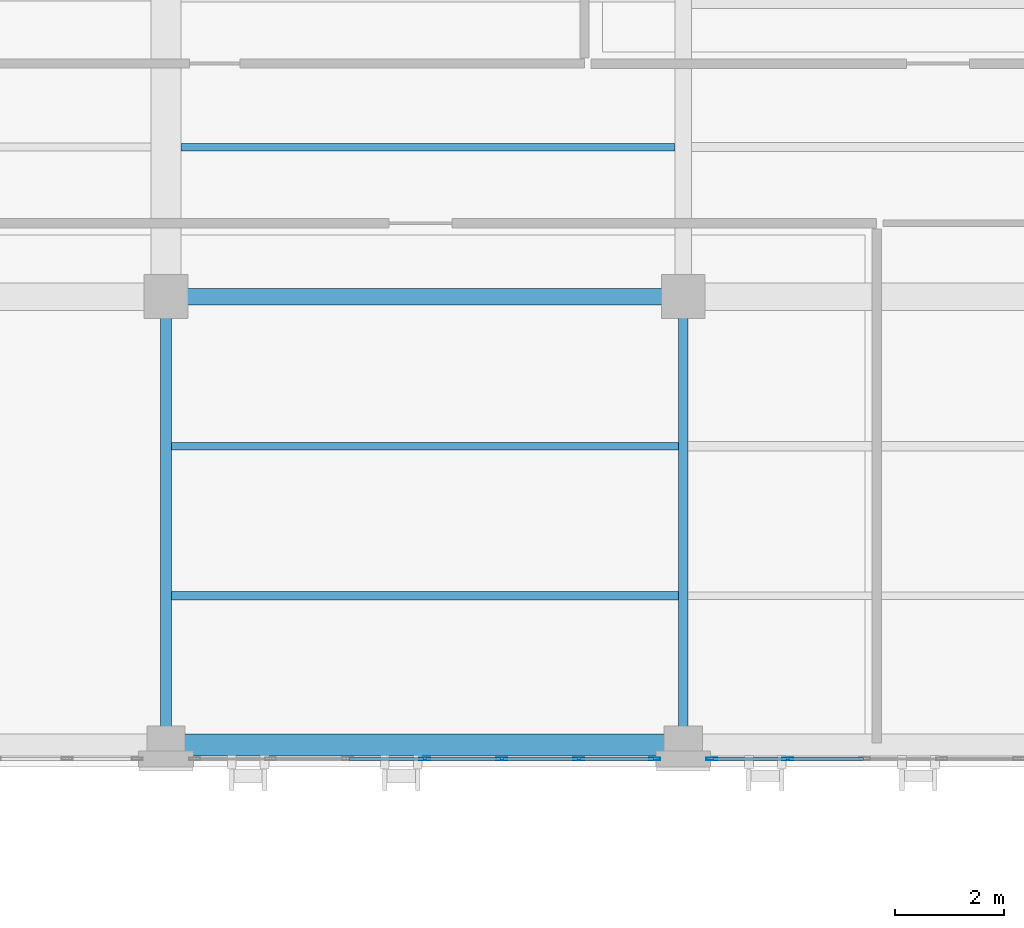
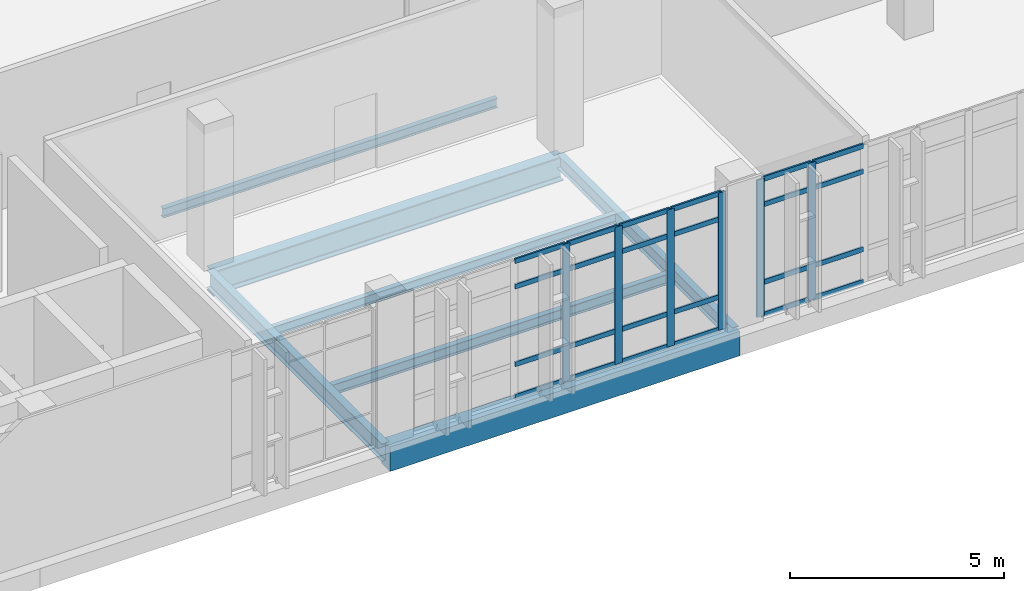
# One storey, part 12 of 165: 30 members, 7 beams, 2 elements without a shape of their own.
"""IFC4 building model written with IfcOpenShell, lengths in metres."""

from ifc_helpers import new_model, si_unit, direction, frame, origin, origin_2d, place, context, subcontext, project, spatial, rectangle, hollow_rectangle, i_section, extrude, material, layer, layer_set, material_profile, profile_set, type_object, element, aggregate, save


model = new_model("IFC4")

# Units and contexts
model_context = context("Model", 3, precision=1e-05, world=origin(), true_north=direction((0.0, 1.0)))
body_context = subcontext(model_context, "Body", "Model", "MODEL_VIEW")
ifc_project = project(units=[si_unit("LENGTHUNIT", "METRE"), si_unit("AREAUNIT", "SQUARE_METRE"), si_unit("VOLUMEUNIT", "CUBIC_METRE"), si_unit("PLANEANGLEUNIT", "RADIAN"), si_unit("MASSUNIT", "GRAM", prefix="KILO")], contexts=[model_context])

# Site, building, storey
site_placement = place(None, origin())
site = spatial("IfcSite", under=ifc_project, at=site_placement, CompositionType="ELEMENT")
building_placement = place(site_placement, origin())
building = spatial("IfcBuilding", under=site, at=building_placement, Name="Qalavern Law Courts", CompositionType="ELEMENT")
storey_placement = place(building_placement, frame((0.0, 0.0, 14.39990234375)))
storey = spatial("IfcBuildingStorey", under=building, at=storey_placement, Name="L03", CompositionType="ELEMENT", Elevation=14.39990234375)

# Curtain wall, members
ifc_material_1 = material(Name="Anodised aluminium and insulated glazing", Category="aluminium")
ifc_layer = layer(ifc_material_1, 0.18505859375)
ifc_layer_set = layer_set([ifc_layer], Name="Anodised aluminium and insulated glazing")
curtain_wall_type = type_object("IfcCurtainWallType", Name="ENV-CW-HALL", PredefinedType="USERDEFINED", material=ifc_layer_set)
curtain_wall_1_placement = place(storey_placement, origin())
curtain_wall_1 = element("IfcCurtainWall", 1, at=curtain_wall_1_placement, inside=storey, type_object=curtain_wall_type, Name="V2 unitised curtain wall L03 south 2", ObjectType="UNITISED CURTAIN WALL", PredefinedType="USERDEFINED")
ifc_material_2 = material(Name="Anodised aluminium", Category="aluminium")
ifc_material_profile_1 = material_profile(ifc_material_2, hollow_rectangle(XDim=0.048095703125, YDim=0.199951171875, WallThickness=0.00439453125, at=origin_2d()), Name="ALU MULLION 48x200")
ifc_profile_set_1 = profile_set([ifc_material_profile_1], Name="Anodised aluminium")
member_type_1 = type_object("IfcMemberType", Name="ENV-CWM-48x200", PredefinedType="MULLION", material=ifc_profile_set_1)
member_1_placement = place(storey_placement, frame((58.255859375, 5.347412109375, 0.0), z_axis=(0.0, 0.0, 1.0), x_axis=(0.0, 1.0, 0.0)))
member_1 = element("IfcMember", 2, at=member_1_placement, type_object=member_type_1, Name="CW-02 mullion 4", PredefinedType="MULLION", context=body_context, shape_type="SweptSolid", body=[
    extrude(hollow_rectangle(XDim=0.048095703125, YDim=0.199951171875, WallThickness=0.00439453125, at=origin_2d()), origin(), (0.0, 0.0, 1.0), 3.920166015625),
])
member_2_placement = place(storey_placement, frame((59.664794921875, 5.347412109375, 0.0), z_axis=(0.0, 0.0, 1.0), x_axis=(0.0, 1.0, 0.0)))
member_2 = element("IfcMember", 3, at=member_2_placement, type_object=member_type_1, Name="CW-02 mullion 5", PredefinedType="MULLION", context=body_context, shape_type="SweptSolid", body=[
    extrude(hollow_rectangle(XDim=0.048095703125, YDim=0.199951171875, WallThickness=0.00439453125, at=origin_2d()), origin(), (0.0, 0.0, 1.0), 3.920166015625),
])
member_3_placement = place(storey_placement, frame((61.07373046875, 5.347412109375, 0.0), z_axis=(0.0, 0.0, 1.0), x_axis=(0.0, 1.0, 0.0)))
member_3 = element("IfcMember", 4, at=member_3_placement, type_object=member_type_1, Name="CW-02 mullion 6", PredefinedType="MULLION", context=body_context, shape_type="SweptSolid", body=[
    extrude(hollow_rectangle(XDim=0.048095703125, YDim=0.199951171875, WallThickness=0.00439453125, at=origin_2d()), origin(), (0.0, 0.0, 1.0), 3.920166015625),
])
member_4_placement = place(storey_placement, frame((62.458984375, 5.347412109375, 0.0), z_axis=(0.0, 0.0, 1.0), x_axis=(0.0, 1.0, 0.0)))
member_4 = element("IfcMember", 5, at=member_4_placement, type_object=member_type_1, Name="CW-02 mullion 7", PredefinedType="MULLION", context=body_context, shape_type="SweptSolid", body=[
    extrude(hollow_rectangle(XDim=0.048095703125, YDim=0.199951171875, WallThickness=0.00439453125, at=origin_2d()), origin(), (0.0, 0.0, 1.0), 3.920166015625),
])

curtain_wall_2_placement = place(storey_placement, origin())
curtain_wall_2 = element("IfcCurtainWall", 6, at=curtain_wall_2_placement, inside=storey, type_object=curtain_wall_type, Name="V2 unitised curtain wall L03 south 3", ObjectType="UNITISED CURTAIN WALL", PredefinedType="USERDEFINED")
member_5_placement = place(storey_placement, frame((63.5068359375, 5.347412109375, 0.0), z_axis=(0.0, 0.0, 1.0), x_axis=(0.0, 1.0, 0.0)))
member_5 = element("IfcMember", 7, at=member_5_placement, type_object=member_type_1, Name="CW-02 mullion 1", PredefinedType="MULLION", context=body_context, shape_type="SweptSolid", body=[
    extrude(hollow_rectangle(XDim=0.048095703125, YDim=0.199951171875, WallThickness=0.00439453125, at=origin_2d()), origin(), (0.0, 0.0, 1.0), 3.920166015625),
])
member_6_placement = place(storey_placement, frame((64.891845703125, 5.347412109375, 0.0), z_axis=(0.0, 0.0, 1.0), x_axis=(0.0, 1.0, 0.0)))
member_6 = element("IfcMember", 8, at=member_6_placement, type_object=member_type_1, Name="CW-02 mullion 2", PredefinedType="MULLION", context=body_context, shape_type="SweptSolid", body=[
    extrude(hollow_rectangle(XDim=0.048095703125, YDim=0.199951171875, WallThickness=0.00439453125, at=origin_2d()), origin(), (0.0, 0.0, 1.0), 3.920166015625),
])

# Member
ifc_material_profile_2 = material_profile(ifc_material_2, hollow_rectangle(XDim=0.048095703125, YDim=0.139892578125, WallThickness=0.00390625, at=origin_2d()), Name="ALU TRANSOM 48x140")
ifc_profile_set_2 = profile_set([ifc_material_profile_2], Name="Anodised aluminium")
member_type_2 = type_object("IfcMemberType", Name="ENV-CWT-48x140", PredefinedType="USERDEFINED", material=ifc_profile_set_2)
member_7_placement = place(storey_placement, frame((56.87060546875, 5.347412109375, 0.024169921875), z_axis=(1.0, 0.0, 0.0), x_axis=(0.0, 1.0, 0.0)))
member_7 = element("IfcMember", 9, at=member_7_placement, type_object=member_type_2, Name="CW-02 transom 3.1", ObjectType="TRANSOM", PredefinedType="USERDEFINED", context=body_context, shape_type="SweptSolid", body=[
    extrude(hollow_rectangle(XDim=0.048095703125, YDim=0.139892578125, WallThickness=0.00390625, at=origin_2d()), origin(), (0.0, 0.0, 1.0), 1.361083984375),
])

member_8_placement = place(storey_placement, frame((56.87060546875, 5.347412109375, 0.9501953125), z_axis=(1.0, 0.0, 0.0), x_axis=(0.0, 1.0, 0.0)))
member_8 = element("IfcMember", 10, at=member_8_placement, type_object=member_type_2, Name="CW-02 transom 3.2", ObjectType="TRANSOM", PredefinedType="USERDEFINED", context=body_context, shape_type="SweptSolid", body=[
    extrude(hollow_rectangle(XDim=0.048095703125, YDim=0.139892578125, WallThickness=0.00390625, at=origin_2d()), origin(), (0.0, 0.0, 1.0), 1.361083984375),
])

member_9_placement = place(storey_placement, frame((56.87060546875, 5.347412109375, 3.170166015625), z_axis=(1.0, 0.0, 0.0), x_axis=(0.0, 1.0, 0.0)))
member_9 = element("IfcMember", 11, at=member_9_placement, type_object=member_type_2, Name="CW-02 transom 3.3", ObjectType="TRANSOM", PredefinedType="USERDEFINED", context=body_context, shape_type="SweptSolid", body=[
    extrude(hollow_rectangle(XDim=0.048095703125, YDim=0.139892578125, WallThickness=0.00390625, at=origin_2d()), origin(), (0.0, 0.0, 1.0), 1.361083984375),
])

member_10_placement = place(storey_placement, frame((56.87060546875, 5.347412109375, 3.89599609375), z_axis=(1.0, 0.0, 0.0), x_axis=(0.0, 1.0, 0.0)))
member_10 = element("IfcMember", 12, at=member_10_placement, type_object=member_type_2, Name="CW-02 transom 3.4", ObjectType="TRANSOM", PredefinedType="USERDEFINED", context=body_context, shape_type="SweptSolid", body=[
    extrude(hollow_rectangle(XDim=0.048095703125, YDim=0.139892578125, WallThickness=0.00390625, at=origin_2d()), origin(), (0.0, 0.0, 1.0), 1.361083984375),
])

member_11_placement = place(storey_placement, frame((58.27978515625, 5.347412109375, 0.024169921875), z_axis=(1.0, 0.0, 0.0), x_axis=(0.0, 1.0, 0.0)))
member_11 = element("IfcMember", 13, at=member_11_placement, type_object=member_type_2, Name="CW-02 transom 4.1", ObjectType="TRANSOM", PredefinedType="USERDEFINED", context=body_context, shape_type="SweptSolid", body=[
    extrude(hollow_rectangle(XDim=0.048095703125, YDim=0.139892578125, WallThickness=0.00390625, at=origin_2d()), origin(), (0.0, 0.0, 1.0), 1.361083984375),
])

member_12_placement = place(storey_placement, frame((58.27978515625, 5.347412109375, 0.9501953125), z_axis=(1.0, 0.0, 0.0), x_axis=(0.0, 1.0, 0.0)))
member_12 = element("IfcMember", 14, at=member_12_placement, type_object=member_type_2, Name="CW-02 transom 4.2", ObjectType="TRANSOM", PredefinedType="USERDEFINED", context=body_context, shape_type="SweptSolid", body=[
    extrude(hollow_rectangle(XDim=0.048095703125, YDim=0.139892578125, WallThickness=0.00390625, at=origin_2d()), origin(), (0.0, 0.0, 1.0), 1.361083984375),
])

member_13_placement = place(storey_placement, frame((58.27978515625, 5.347412109375, 3.170166015625), z_axis=(1.0, 0.0, 0.0), x_axis=(0.0, 1.0, 0.0)))
member_13 = element("IfcMember", 15, at=member_13_placement, type_object=member_type_2, Name="CW-02 transom 4.3", ObjectType="TRANSOM", PredefinedType="USERDEFINED", context=body_context, shape_type="SweptSolid", body=[
    extrude(hollow_rectangle(XDim=0.048095703125, YDim=0.139892578125, WallThickness=0.00390625, at=origin_2d()), origin(), (0.0, 0.0, 1.0), 1.361083984375),
])

member_14_placement = place(storey_placement, frame((58.27978515625, 5.347412109375, 3.89599609375), z_axis=(1.0, 0.0, 0.0), x_axis=(0.0, 1.0, 0.0)))
member_14 = element("IfcMember", 16, at=member_14_placement, type_object=member_type_2, Name="CW-02 transom 4.4", ObjectType="TRANSOM", PredefinedType="USERDEFINED", context=body_context, shape_type="SweptSolid", body=[
    extrude(hollow_rectangle(XDim=0.048095703125, YDim=0.139892578125, WallThickness=0.00390625, at=origin_2d()), origin(), (0.0, 0.0, 1.0), 1.361083984375),
])

member_15_placement = place(storey_placement, frame((59.688720703125, 5.347412109375, 0.024169921875), z_axis=(1.0, 0.0, 0.0), x_axis=(0.0, 1.0, 0.0)))
member_15 = element("IfcMember", 17, at=member_15_placement, type_object=member_type_2, Name="CW-02 transom 5.1", ObjectType="TRANSOM", PredefinedType="USERDEFINED", context=body_context, shape_type="SweptSolid", body=[
    extrude(hollow_rectangle(XDim=0.048095703125, YDim=0.139892578125, WallThickness=0.00390625, at=origin_2d()), origin(), (0.0, 0.0, 1.0), 1.361083984375),
])

member_16_placement = place(storey_placement, frame((59.688720703125, 5.347412109375, 0.9501953125), z_axis=(1.0, 0.0, 0.0), x_axis=(0.0, 1.0, 0.0)))
member_16 = element("IfcMember", 18, at=member_16_placement, type_object=member_type_2, Name="CW-02 transom 5.2", ObjectType="TRANSOM", PredefinedType="USERDEFINED", context=body_context, shape_type="SweptSolid", body=[
    extrude(hollow_rectangle(XDim=0.048095703125, YDim=0.139892578125, WallThickness=0.00390625, at=origin_2d()), origin(), (0.0, 0.0, 1.0), 1.361083984375),
])

member_17_placement = place(storey_placement, frame((59.688720703125, 5.347412109375, 3.170166015625), z_axis=(1.0, 0.0, 0.0), x_axis=(0.0, 1.0, 0.0)))
member_17 = element("IfcMember", 19, at=member_17_placement, type_object=member_type_2, Name="CW-02 transom 5.3", ObjectType="TRANSOM", PredefinedType="USERDEFINED", context=body_context, shape_type="SweptSolid", body=[
    extrude(hollow_rectangle(XDim=0.048095703125, YDim=0.139892578125, WallThickness=0.00390625, at=origin_2d()), origin(), (0.0, 0.0, 1.0), 1.361083984375),
])

member_18_placement = place(storey_placement, frame((59.688720703125, 5.347412109375, 3.89599609375), z_axis=(1.0, 0.0, 0.0), x_axis=(0.0, 1.0, 0.0)))
member_18 = element("IfcMember", 20, at=member_18_placement, type_object=member_type_2, Name="CW-02 transom 5.4", ObjectType="TRANSOM", PredefinedType="USERDEFINED", context=body_context, shape_type="SweptSolid", body=[
    extrude(hollow_rectangle(XDim=0.048095703125, YDim=0.139892578125, WallThickness=0.00390625, at=origin_2d()), origin(), (0.0, 0.0, 1.0), 1.361083984375),
])

member_19_placement = place(storey_placement, frame((61.097900390625, 5.347412109375, 0.024169921875), z_axis=(1.0, 0.0, 0.0), x_axis=(0.0, 1.0, 0.0)))
member_19 = element("IfcMember", 21, at=member_19_placement, type_object=member_type_2, Name="CW-02 transom 6.1", ObjectType="TRANSOM", PredefinedType="USERDEFINED", context=body_context, shape_type="SweptSolid", body=[
    extrude(hollow_rectangle(XDim=0.048095703125, YDim=0.139892578125, WallThickness=0.00390625, at=origin_2d()), origin(), (0.0, 0.0, 1.0), 1.3369140625),
])

member_20_placement = place(storey_placement, frame((61.097900390625, 5.347412109375, 0.9501953125), z_axis=(1.0, 0.0, 0.0), x_axis=(0.0, 1.0, 0.0)))
member_20 = element("IfcMember", 22, at=member_20_placement, type_object=member_type_2, Name="CW-02 transom 6.2", ObjectType="TRANSOM", PredefinedType="USERDEFINED", context=body_context, shape_type="SweptSolid", body=[
    extrude(hollow_rectangle(XDim=0.048095703125, YDim=0.139892578125, WallThickness=0.00390625, at=origin_2d()), origin(), (0.0, 0.0, 1.0), 1.3369140625),
])

member_21_placement = place(storey_placement, frame((61.097900390625, 5.347412109375, 3.170166015625), z_axis=(1.0, 0.0, 0.0), x_axis=(0.0, 1.0, 0.0)))
member_21 = element("IfcMember", 23, at=member_21_placement, type_object=member_type_2, Name="CW-02 transom 6.3", ObjectType="TRANSOM", PredefinedType="USERDEFINED", context=body_context, shape_type="SweptSolid", body=[
    extrude(hollow_rectangle(XDim=0.048095703125, YDim=0.139892578125, WallThickness=0.00390625, at=origin_2d()), origin(), (0.0, 0.0, 1.0), 1.3369140625),
])

member_22_placement = place(storey_placement, frame((61.097900390625, 5.347412109375, 3.89599609375), z_axis=(1.0, 0.0, 0.0), x_axis=(0.0, 1.0, 0.0)))
member_22 = element("IfcMember", 24, at=member_22_placement, type_object=member_type_2, Name="CW-02 transom 6.4", ObjectType="TRANSOM", PredefinedType="USERDEFINED", context=body_context, shape_type="SweptSolid", body=[
    extrude(hollow_rectangle(XDim=0.048095703125, YDim=0.139892578125, WallThickness=0.00390625, at=origin_2d()), origin(), (0.0, 0.0, 1.0), 1.3369140625),
])

aggregate(curtain_wall_1, [member_1, member_2, member_3, member_4, member_7, member_8, member_9, member_10, member_11, member_12, member_13, member_14, member_15, member_16, member_17, member_18, member_19, member_20, member_21, member_22])

member_23_placement = place(storey_placement, frame((63.531005859375, 5.347412109375, 0.024169921875), z_axis=(1.0, 0.0, 0.0), x_axis=(0.0, 1.0, 0.0)))
member_23 = element("IfcMember", 25, at=member_23_placement, type_object=member_type_2, Name="CW-02 transom 1.1", ObjectType="TRANSOM", PredefinedType="USERDEFINED", context=body_context, shape_type="SweptSolid", body=[
    extrude(hollow_rectangle(XDim=0.048095703125, YDim=0.139892578125, WallThickness=0.00390625, at=origin_2d()), origin(), (0.0, 0.0, 1.0), 1.3369140625),
])

member_24_placement = place(storey_placement, frame((63.531005859375, 5.347412109375, 0.9501953125), z_axis=(1.0, 0.0, 0.0), x_axis=(0.0, 1.0, 0.0)))
member_24 = element("IfcMember", 26, at=member_24_placement, type_object=member_type_2, Name="CW-02 transom 1.2", ObjectType="TRANSOM", PredefinedType="USERDEFINED", context=body_context, shape_type="SweptSolid", body=[
    extrude(hollow_rectangle(XDim=0.048095703125, YDim=0.139892578125, WallThickness=0.00390625, at=origin_2d()), origin(), (0.0, 0.0, 1.0), 1.3369140625),
])

member_25_placement = place(storey_placement, frame((63.531005859375, 5.347412109375, 3.170166015625), z_axis=(1.0, 0.0, 0.0), x_axis=(0.0, 1.0, 0.0)))
member_25 = element("IfcMember", 27, at=member_25_placement, type_object=member_type_2, Name="CW-02 transom 1.3", ObjectType="TRANSOM", PredefinedType="USERDEFINED", context=body_context, shape_type="SweptSolid", body=[
    extrude(hollow_rectangle(XDim=0.048095703125, YDim=0.139892578125, WallThickness=0.00390625, at=origin_2d()), origin(), (0.0, 0.0, 1.0), 1.3369140625),
])

member_26_placement = place(storey_placement, frame((63.531005859375, 5.347412109375, 3.89599609375), z_axis=(1.0, 0.0, 0.0), x_axis=(0.0, 1.0, 0.0)))
member_26 = element("IfcMember", 28, at=member_26_placement, type_object=member_type_2, Name="CW-02 transom 1.4", ObjectType="TRANSOM", PredefinedType="USERDEFINED", context=body_context, shape_type="SweptSolid", body=[
    extrude(hollow_rectangle(XDim=0.048095703125, YDim=0.139892578125, WallThickness=0.00390625, at=origin_2d()), origin(), (0.0, 0.0, 1.0), 1.3369140625),
])

member_27_placement = place(storey_placement, frame((64.916015625, 5.347412109375, 0.024169921875), z_axis=(1.0, 0.0, 0.0), x_axis=(0.0, 1.0, 0.0)))
member_27 = element("IfcMember", 29, at=member_27_placement, type_object=member_type_2, Name="CW-02 transom 2.1", ObjectType="TRANSOM", PredefinedType="USERDEFINED", context=body_context, shape_type="SweptSolid", body=[
    extrude(hollow_rectangle(XDim=0.048095703125, YDim=0.139892578125, WallThickness=0.00390625, at=origin_2d()), origin(), (0.0, 0.0, 1.0), 1.36083984375),
])

member_28_placement = place(storey_placement, frame((64.916015625, 5.347412109375, 0.9501953125), z_axis=(1.0, 0.0, 0.0), x_axis=(0.0, 1.0, 0.0)))
member_28 = element("IfcMember", 30, at=member_28_placement, type_object=member_type_2, Name="CW-02 transom 2.2", ObjectType="TRANSOM", PredefinedType="USERDEFINED", context=body_context, shape_type="SweptSolid", body=[
    extrude(hollow_rectangle(XDim=0.048095703125, YDim=0.139892578125, WallThickness=0.00390625, at=origin_2d()), origin(), (0.0, 0.0, 1.0), 1.36083984375),
])

member_29_placement = place(storey_placement, frame((64.916015625, 5.347412109375, 3.170166015625), z_axis=(1.0, 0.0, 0.0), x_axis=(0.0, 1.0, 0.0)))
member_29 = element("IfcMember", 31, at=member_29_placement, type_object=member_type_2, Name="CW-02 transom 2.3", ObjectType="TRANSOM", PredefinedType="USERDEFINED", context=body_context, shape_type="SweptSolid", body=[
    extrude(hollow_rectangle(XDim=0.048095703125, YDim=0.139892578125, WallThickness=0.00390625, at=origin_2d()), origin(), (0.0, 0.0, 1.0), 1.36083984375),
])

member_30_placement = place(storey_placement, frame((64.916015625, 5.347412109375, 3.89599609375), z_axis=(1.0, 0.0, 0.0), x_axis=(0.0, 1.0, 0.0)))
member_30 = element("IfcMember", 32, at=member_30_placement, type_object=member_type_2, Name="CW-02 transom 2.4", ObjectType="TRANSOM", PredefinedType="USERDEFINED", context=body_context, shape_type="SweptSolid", body=[
    extrude(hollow_rectangle(XDim=0.048095703125, YDim=0.139892578125, WallThickness=0.00390625, at=origin_2d()), origin(), (0.0, 0.0, 1.0), 1.36083984375),
])

aggregate(curtain_wall_2, [member_5, member_6, member_23, member_24, member_25, member_26, member_27, member_28, member_29, member_30])

# Beams
ifc_material_3 = material(Name="Steel S355", Category="steel")
ifc_material_profile_3 = material_profile(ifc_material_3, i_section(OverallWidth=0.300048828125, OverallDepth=0.699951171875, WebThickness=0.01708984375, FlangeThickness=0.031982421875, FilletRadius=0.027099609375, at=origin_2d()), Name="HEB 700")
ifc_profile_set_3 = profile_set([ifc_material_profile_3], Name="Steel S355")
beam_type_1 = type_object("IfcBeamType", Name="STR-BM-HEB700", PredefinedType="BEAM", material=ifc_profile_set_3)
beam_1_placement = place(storey_placement, frame((53.528564453125, 13.800048828125, -0.635009765625), z_axis=(1.0, 0.0, 0.0), x_axis=(0.0, 1.0, 0.0)))
element("IfcBeam", 33, at=beam_1_placement, inside=storey, type_object=beam_type_1, Name="V2 X-beam 2-3 L03", PredefinedType="BEAM", context=body_context, shape_type="SweptSolid", body=[
    extrude(i_section(OverallWidth=0.300048828125, OverallDepth=0.699951171875, WebThickness=0.01708984375, FlangeThickness=0.031982421875, FilletRadius=0.027099609375, at=origin_2d()), origin(), (0.0, 0.0, 1.0), 9.454345703125),
])
ifc_material_profile_4 = material_profile(ifc_material_3, i_section(OverallWidth=0.179931640625, OverallDepth=0.39990234375, WebThickness=0.008544921875, FlangeThickness=0.013427734375, FilletRadius=0.02099609375, at=origin_2d()), Name="IPE 400")
ifc_profile_set_4 = profile_set([ifc_material_profile_4], Name="Steel S355")
beam_type_2 = type_object("IfcBeamType", Name="STR-BM-IPE400", PredefinedType="BEAM", material=ifc_profile_set_4)
beam_2_placement = place(storey_placement, frame((62.98291015625, 5.60009765625, -0.48486328125), z_axis=(0.0, 1.0, 0.0), x_axis=(-1.0, 0.0, 0.0)))
element("IfcBeam", 34, at=beam_2_placement, inside=storey, type_object=beam_type_2, Name="V2 Y-beam 4-1 L03", PredefinedType="BEAM", context=body_context, shape_type="SweptSolid", body=[
    extrude(i_section(OverallWidth=0.179931640625, OverallDepth=0.39990234375, WebThickness=0.008544921875, FlangeThickness=0.013427734375, FilletRadius=0.02099609375, at=origin_2d()), origin(), (0.0, 0.0, 1.0), 8.199951171875),
])
ifc_material_profile_5 = material_profile(ifc_material_3, i_section(OverallWidth=0.199951171875, OverallDepth=0.5, WebThickness=0.01025390625, FlangeThickness=0.01611328125, FilletRadius=0.02099609375, at=origin_2d()), Name="IPE 500")
ifc_profile_set_5 = profile_set([ifc_material_profile_5], Name="Steel S355")
beam_type_3 = type_object("IfcBeamType", Name="STR-BM-IPE500", PredefinedType="BEAM", material=ifc_profile_set_5)
beam_3_placement = place(storey_placement, frame((53.528564453125, 5.60009765625, -0.534912109375), z_axis=(0.0, 1.0, 0.0), x_axis=(-1.0, 0.0, 0.0)))
element("IfcBeam", 35, at=beam_3_placement, inside=storey, type_object=beam_type_3, Name="V2 Y-beam 3-1 L03", PredefinedType="BEAM", context=body_context, shape_type="SweptSolid", body=[
    extrude(i_section(OverallWidth=0.199951171875, OverallDepth=0.5, WebThickness=0.01025390625, FlangeThickness=0.01611328125, FilletRadius=0.02099609375, at=origin_2d()), origin(), (0.0, 0.0, 1.0), 8.199951171875),
])
ifc_material_profile_6 = material_profile(ifc_material_3, i_section(OverallWidth=0.135009765625, OverallDepth=0.27001953125, WebThickness=0.006591796875, FlangeThickness=0.01025390625, FilletRadius=0.014892578125, at=origin_2d()), Name="IPE 270")
ifc_profile_set_6 = profile_set([ifc_material_profile_6], Name="Steel S355")
beam_type_4 = type_object("IfcBeamType", Name="STR-JST-IPE270", PredefinedType="JOIST", material=ifc_profile_set_6)
beam_4_placement = place(storey_placement, frame((53.626708984375, 11.066650390625, -0.419921875), z_axis=(1.0, 0.0, 0.0), x_axis=(0.0, 1.0, 0.0)))
element("IfcBeam", 36, at=beam_4_placement, inside=storey, type_object=beam_type_4, Name="V2 secondary joist 3.1.2 L03", PredefinedType="JOIST", context=body_context, shape_type="SweptSolid", body=[
    extrude(i_section(OverallWidth=0.135009765625, OverallDepth=0.27001953125, WebThickness=0.006591796875, FlangeThickness=0.01025390625, FilletRadius=0.014892578125, at=origin_2d()), origin(), (0.0, 0.0, 1.0), 9.268310546875),
])
beam_5_placement = place(storey_placement, frame((53.801513671875, 16.533203125, -0.419921875), z_axis=(1.0, 0.0, 0.0), x_axis=(0.0, 1.0, 0.0)))
element("IfcBeam", 37, at=beam_5_placement, inside=storey, type_object=beam_type_4, Name="V2 secondary joist 3.2.1 L03", PredefinedType="JOIST", context=body_context, shape_type="SweptSolid", body=[
    extrude(i_section(OverallWidth=0.135009765625, OverallDepth=0.27001953125, WebThickness=0.006591796875, FlangeThickness=0.01025390625, FilletRadius=0.014892578125, at=origin_2d()), origin(), (0.0, 0.0, 1.0), 9.033447265625),
])
ifc_material_profile_7 = material_profile(ifc_material_3, i_section(OverallWidth=0.14990234375, OverallDepth=0.300048828125, WebThickness=0.007080078125, FlangeThickness=0.0107421875, FilletRadius=0.014892578125, at=origin_2d()), Name="IPE 300")
ifc_profile_set_7 = profile_set([ifc_material_profile_7], Name="Steel S355")
beam_type_5 = type_object("IfcBeamType", Name="STR-JST-IPE300", PredefinedType="JOIST", material=ifc_profile_set_7)
beam_6_placement = place(storey_placement, frame((53.626708984375, 8.333251953125, -0.434814453125), z_axis=(1.0, 0.0, 0.0), x_axis=(0.0, 1.0, 0.0)))
element("IfcBeam", 38, at=beam_6_placement, inside=storey, type_object=beam_type_5, Name="V2 secondary joist 3.1.1 L03", PredefinedType="JOIST", context=body_context, shape_type="SweptSolid", body=[
    extrude(i_section(OverallWidth=0.14990234375, OverallDepth=0.300048828125, WebThickness=0.007080078125, FlangeThickness=0.0107421875, FilletRadius=0.014892578125, at=origin_2d()), origin(), (0.0, 0.0, 1.0), 9.268310546875),
])
ifc_material_4 = material(Name="Concrete C40/50", Category="concrete")
ifc_material_profile_8 = material_profile(ifc_material_4, rectangle(XDim=0.39990234375, YDim=0.699951171875, at=origin_2d()), Name="RC 400x700")
ifc_profile_set_8 = profile_set([ifc_material_profile_8], Name="Concrete C40/50")
beam_type_6 = type_object("IfcBeamType", Name="STR-SP-RC400x700", PredefinedType="SPANDREL", material=ifc_profile_set_8)
beam_7_placement = place(storey_placement, frame((53.528564453125, 5.60009765625, -0.635009765625), z_axis=(1.0, 0.0, 0.0), x_axis=(0.0, 1.0, 0.0)))
element("IfcBeam", 39, at=beam_7_placement, inside=storey, type_object=beam_type_6, Name="V2 X-beam 1-3 L03", PredefinedType="SPANDREL", context=body_context, shape_type="SweptSolid", body=[
    extrude(rectangle(XDim=0.39990234375, YDim=0.699951171875, at=origin_2d()), origin(), (0.0, 0.0, 1.0), 9.454345703125),
])

save(model, "model.ifc")
